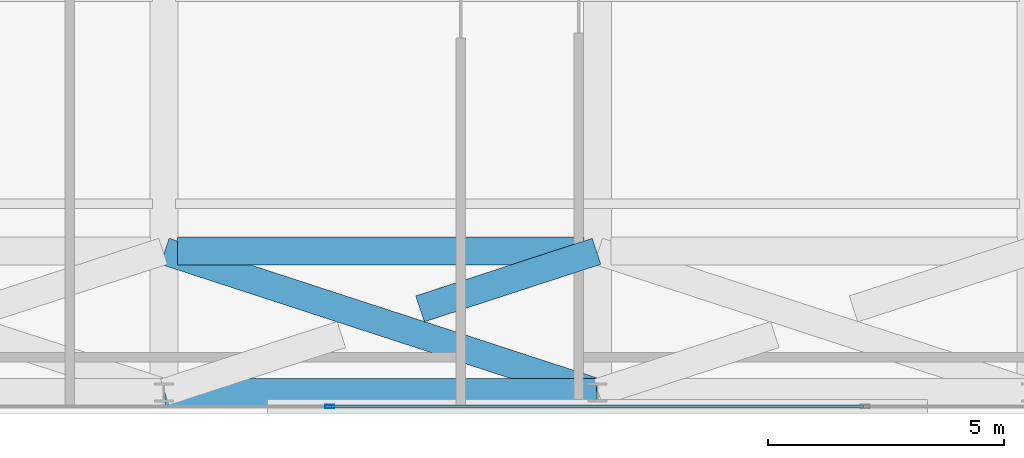
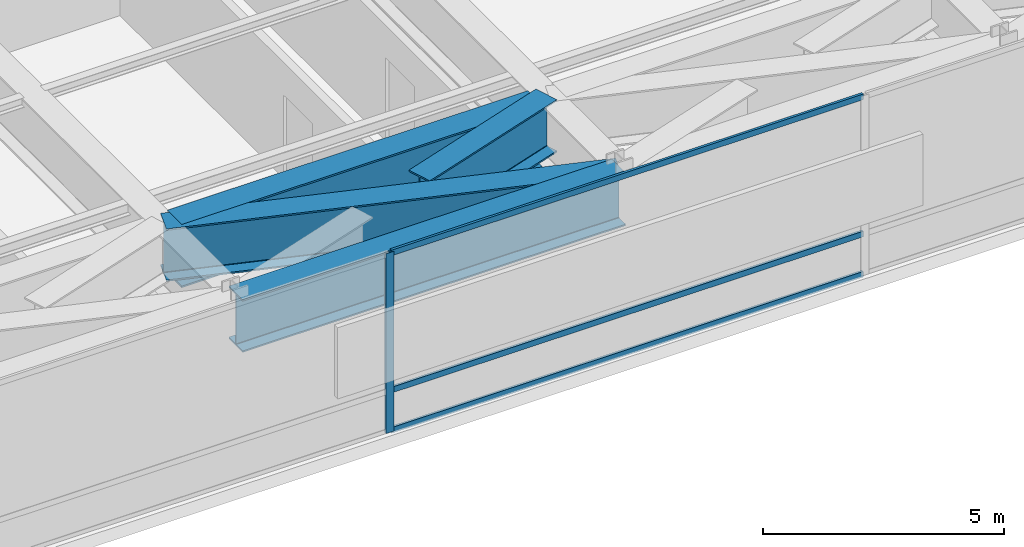
# One storey, part 6 of 30: 4 beams, 4 members, 1 element without a shape of its own.
"""IFC4 building model written with IfcOpenShell, lengths in metres."""

from ifc_helpers import new_model, si_unit, direction, frame, origin, origin_2d, place, context, subcontext, project, spatial, hollow_rectangle, i_section, extrude, source, transform, mapped, material, layer, layer_set, material_profile, profile_set, type_object, type_shapes, element, aggregate, save


model = new_model("IFC4")

# Units and contexts
model_context = context("Model", 3, precision=1e-05, world=origin(), true_north=direction((0.0, 1.0)))
body_context = subcontext(model_context, "Body", "Model", "MODEL_VIEW")
ifc_project = project(units=[si_unit("LENGTHUNIT", "METRE"), si_unit("AREAUNIT", "SQUARE_METRE"), si_unit("VOLUMEUNIT", "CUBIC_METRE"), si_unit("PLANEANGLEUNIT", "RADIAN"), si_unit("MASSUNIT", "GRAM", prefix="KILO")], contexts=[model_context])

# Site, building, storey
site_placement = place(None, origin())
site = spatial("IfcSite", under=ifc_project, at=site_placement, CompositionType="ELEMENT")
building_placement = place(site_placement, origin())
building = spatial("IfcBuilding", under=site, at=building_placement, Name="Varnel Quay Broadcast Tower", CompositionType="ELEMENT")
storey_placement = place(building_placement, frame((0.0, 0.0, 82.199951171875)))
storey = spatial("IfcBuildingStorey", under=building, at=storey_placement, Name="L19", CompositionType="ELEMENT", Elevation=82.199951171875)

# Beams
ifc_material_1 = material(Name="Structural Steel CSA G40.21 350WT", Category="steel")
ifc_material_profile_1 = material_profile(ifc_material_1, i_section(OverallWidth=0.580078125, OverallDepth=1.330078125, WebThickness=0.02197265625, FlangeThickness=0.0380859375, FilletRadius=0.02001953125, at=origin_2d()), Name="WWF1330X535")
ifc_profile_set_1 = profile_set([ifc_material_profile_1], Name="Structural Steel CSA G40.21 350WT")
beam_type_1 = type_object("IfcBeamType", Name="Girder_WWF1330X535", PredefinedType="BEAM", material=ifc_profile_set_1)
shared_shape_1 = source(origin(), body_context, "Body", "SweptSolid", [
    extrude(i_section(OverallWidth=0.580078125, OverallDepth=1.330078125, WebThickness=0.02197265625, FlangeThickness=0.0380859375, FilletRadius=0.02001953125, at=origin_2d()), origin(), (0.0, 0.0, 1.0), 9.159912109375),
])
beam_1_placement = place(storey_placement, frame((24.820068359375, 1.64990234375, 3.885009765625), z_axis=(1.0, 0.0, 0.0), x_axis=(0.0, 1.0, 0.0)))
element("IfcBeam", 1, at=beam_1_placement, inside=storey, type_object=beam_type_1, Name="L19 Perimeter Transfer Spine TC-S2-TC-S3", PredefinedType="BEAM", context=body_context, shape_type="MappedRepresentation", body=[
    mapped(shared_shape_1, transform((0.0, 0.0, 0.0), x_axis=(1.0, 0.0, 0.0), y_axis=(0.0, 1.0, 0.0), z_axis=(0.0, 0.0, 1.0), scale=1.0)),
])
ifc_material_profile_2 = material_profile(ifc_material_1, i_section(OverallWidth=0.60009765625, OverallDepth=1.60009765625, WebThickness=0.02392578125, FlangeThickness=0.0419921875, FilletRadius=0.02197265625, at=origin_2d()), Name="WWF1600X620")
ifc_profile_set_2 = profile_set([ifc_material_profile_2], Name="Structural Steel CSA G40.21 350WT")
beam_type_2 = type_object("IfcBeamType", Name="Girder_WWF1600X620", PredefinedType="BEAM", material=ifc_profile_set_2)
shared_shape_2 = source(origin(), body_context, "Body", "SweptSolid", [
    extrude(i_section(OverallWidth=0.60009765625, OverallDepth=1.60009765625, WebThickness=0.02392578125, FlangeThickness=0.0419921875, FilletRadius=0.02197265625, at=origin_2d()), origin(), (0.0, 0.0, 1.0), 8.630126953125),
])
type_shapes(beam_type_2, [shared_shape_2])
beam_2_placement = place(storey_placement, frame((25.0849609375, 4.64990234375, 3.75), z_axis=(1.0, 0.0, 0.0), x_axis=(0.0, 1.0, 0.0)))
element("IfcBeam", 2, at=beam_2_placement, inside=storey, type_object=beam_type_2, Name="L19 Setback South Transfer Header 3", PredefinedType="BEAM", context=body_context, shape_type="MappedRepresentation", body=[
    mapped(shared_shape_2, transform((0.0, 0.0, 0.0), x_axis=(1.0, 0.0, 0.0), y_axis=(0.0, 1.0, 0.0), z_axis=(0.0, 0.0, 1.0), scale=1.0)),
])
shared_shape_3 = source(origin(), body_context, "Body", "SweptSolid", [
    extrude(i_section(OverallWidth=0.580078125, OverallDepth=1.330078125, WebThickness=0.02197265625, FlangeThickness=0.0380859375, FilletRadius=0.02001953125, at=origin_2d()), origin(), (0.0, 0.0, 1.0), 9.63671875),
])
beam_3_placement = place(storey_placement, frame((33.98095703125, 1.65625, 3.885009765625), z_axis=(-0.950730326475, 0.310019106379, 0.0), x_axis=(-0.310019106379, -0.950730326475, 0.0)))
element("IfcBeam", 3, at=beam_3_placement, inside=storey, type_object=beam_type_1, Name="L19 X-Braced Transfer Tie TC-S2-TC-S3", PredefinedType="BEAM", context=body_context, shape_type="MappedRepresentation", body=[
    mapped(shared_shape_3, transform((0.0, 0.0, 0.0), x_axis=(1.0, 0.0, 0.0), y_axis=(0.0, 1.0, 0.0), z_axis=(0.0, 0.0, 1.0), scale=1.0)),
])
shared_shape_4 = source(origin(), body_context, "Body", "SweptSolid", [
    extrude(i_section(OverallWidth=0.580078125, OverallDepth=1.330078125, WebThickness=0.02197265625, FlangeThickness=0.0380859375, FilletRadius=0.02001953125, at=origin_2d()), origin(), (0.0, 0.0, 1.0), 3.939453125),
])
type_shapes(beam_type_1, [shared_shape_1, shared_shape_3, shared_shape_4])
beam_4_placement = place(storey_placement, frame((30.235595703125, 3.422607421875, 3.885009765625), z_axis=(0.950738972318, 0.309992591065, 0.0), x_axis=(-0.309992591065, 0.950738972318, 0.0)))
element("IfcBeam", 4, at=beam_4_placement, inside=storey, type_object=beam_type_1, Name="L19 X-Braced Transfer Tie TC-S3-TC-S2 Part 2", PredefinedType="BEAM", context=body_context, shape_type="MappedRepresentation", body=[
    mapped(shared_shape_4, transform((0.0, 0.0, 0.0), x_axis=(1.0, 0.0, 0.0), y_axis=(0.0, 1.0, 0.0), z_axis=(0.0, 0.0, 1.0), scale=1.0)),
])

# Curtain wall, members
ifc_material_2 = material(Name="Anodised Bronze Aluminium 6063-T6", Category="aluminium")
ifc_layer = layer(ifc_material_2, 0.18994140625, Name="Anodised Bronze Aluminium 6063-T6")
ifc_layer_set = layer_set([ifc_layer], Name="Anodised Bronze Aluminium 6063-T6")
curtain_wall_type = type_object("IfcCurtainWallType", Name="CW_LowerTower", PredefinedType="NOTDEFINED", material=ifc_layer_set)
curtain_wall_placement = place(storey_placement, origin())
curtain_wall = element("IfcCurtainWall", 5, at=curtain_wall_placement, inside=storey, type_object=curtain_wall_type, Name="L19 South Unitised Curtain Wall 1", PredefinedType="NOTDEFINED")
ifc_material_profile_3 = material_profile(ifc_material_2, hollow_rectangle(XDim=0.06005859375, YDim=0.14501953125, WallThickness=0.00341796875, at=origin_2d()), Name="ALU60X145X3.5")
ifc_profile_set_3 = profile_set([ifc_material_profile_3], Name="Anodised Bronze Aluminium 6063-T6")
member_type_1 = type_object("IfcMemberType", Name="Tran_CWS-02", PredefinedType="USERDEFINED", material=ifc_profile_set_3)
shared_shape_5 = source(origin(), body_context, "Body", "SweptSolid", [
    extrude(hollow_rectangle(XDim=0.06005859375, YDim=0.14501953125, WallThickness=0.00341796875, at=origin_2d()), origin(), (0.0, 0.0, 1.0), 11.2900390625),
])
type_shapes(member_type_1, [shared_shape_5])
member_1_placement = place(storey_placement, frame((28.35498046875, 1.35009765625, 0.030029296875), z_axis=(1.0, 0.0, 0.0), x_axis=(0.0, 1.0, 0.0)))
member_1 = element("IfcMember", 6, at=member_1_placement, type_object=member_type_1, Name="CWS-02 transom 3.1", ObjectType="TRANSOM", PredefinedType="USERDEFINED", context=body_context, shape_type="MappedRepresentation", body=[
    mapped(shared_shape_5, transform((0.0, 0.0, 0.0), x_axis=(1.0, 0.0, 0.0), y_axis=(0.0, 1.0, 0.0), z_axis=(0.0, 0.0, 1.0), scale=1.0)),
])
member_2_placement = place(storey_placement, frame((28.35498046875, 1.35009765625, 1.050048828125), z_axis=(1.0, 0.0, 0.0), x_axis=(0.0, 1.0, 0.0)))
member_2 = element("IfcMember", 7, at=member_2_placement, type_object=member_type_1, Name="CWS-02 transom 3.2", ObjectType="TRANSOM", PredefinedType="USERDEFINED", context=body_context, shape_type="MappedRepresentation", body=[
    mapped(shared_shape_5, transform((0.0, 0.0, 0.0), x_axis=(1.0, 0.0, 0.0), y_axis=(0.0, 1.0, 0.0), z_axis=(0.0, 0.0, 1.0), scale=1.0)),
])
member_3_placement = place(storey_placement, frame((28.35498046875, 1.35009765625, 4.52001953125), z_axis=(1.0, 0.0, 0.0), x_axis=(0.0, 1.0, 0.0)))
member_3 = element("IfcMember", 8, at=member_3_placement, type_object=member_type_1, Name="CWS-02 transom 3.3", ObjectType="TRANSOM", PredefinedType="USERDEFINED", context=body_context, shape_type="MappedRepresentation", body=[
    mapped(shared_shape_5, transform((0.0, 0.0, 0.0), x_axis=(1.0, 0.0, 0.0), y_axis=(0.0, 1.0, 0.0), z_axis=(0.0, 0.0, 1.0), scale=1.0)),
])
ifc_material_profile_4 = material_profile(ifc_material_2, hollow_rectangle(XDim=0.070068359375, YDim=0.18994140625, WallThickness=0.00390625, at=origin_2d()), Name="ALU70X190X4")
ifc_profile_set_4 = profile_set([ifc_material_profile_4], Name="Anodised Bronze Aluminium 6063-T6")
member_type_2 = type_object("IfcMemberType", Name="Mull_CWS-02", PredefinedType="MULLION", material=ifc_profile_set_4)
shared_shape_6 = source(origin(), body_context, "Body", "SweptSolid", [
    extrude(hollow_rectangle(XDim=0.070068359375, YDim=0.18994140625, WallThickness=0.00390625, at=origin_2d()), origin(), (0.0, 0.0, 1.0), 4.550048828125),
])
type_shapes(member_type_2, [shared_shape_6])
member_4_placement = place(storey_placement, frame((28.320068359375, 1.35009765625, 0.0), z_axis=(0.0, 0.0, 1.0), x_axis=(0.0, 1.0, 0.0)))
member_4 = element("IfcMember", 9, at=member_4_placement, type_object=member_type_2, Name="CWS-02 mullion 3", PredefinedType="MULLION", context=body_context, shape_type="MappedRepresentation", body=[
    mapped(shared_shape_6, transform((0.0, 0.0, 0.0), x_axis=(1.0, 0.0, 0.0), y_axis=(0.0, 1.0, 0.0), z_axis=(0.0, 0.0, 1.0), scale=1.0)),
])
aggregate(curtain_wall, [member_4, member_1, member_2, member_3])

save(model, "model.ifc")
